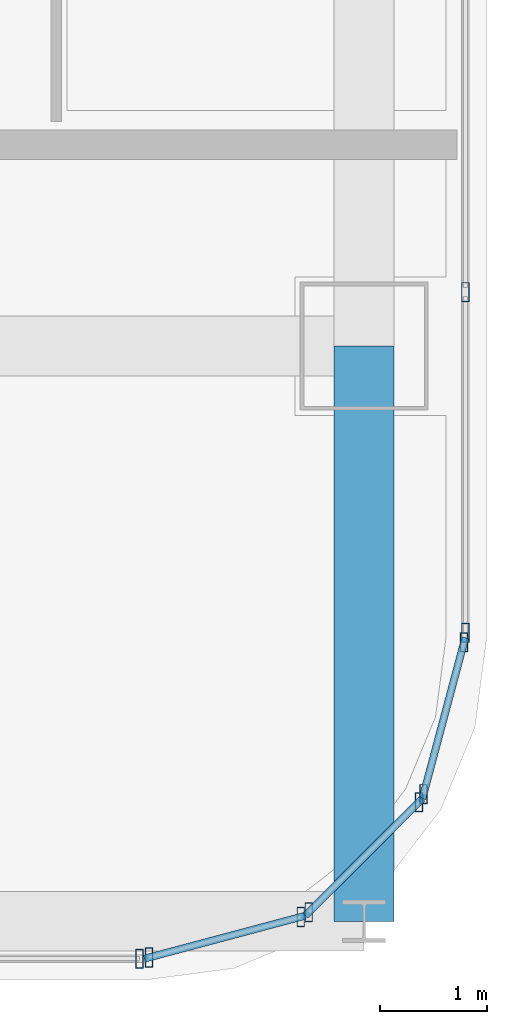
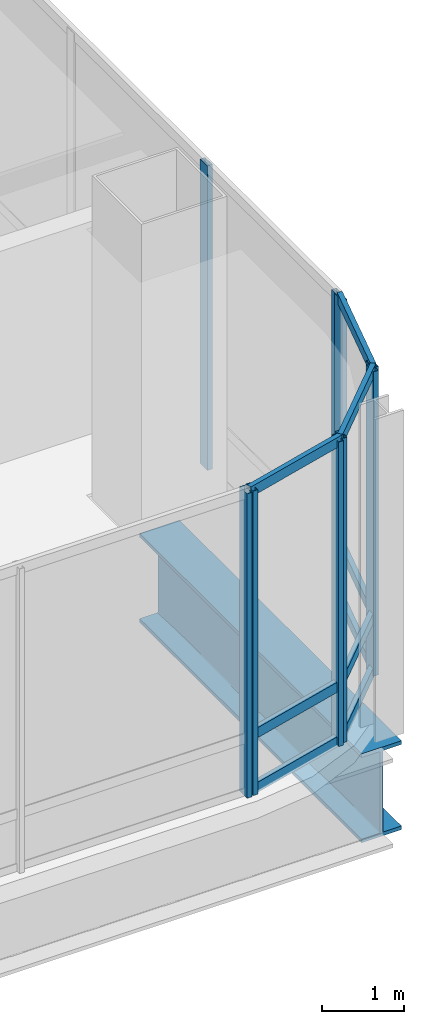
# One storey, part 18 of 45: 18 members, 1 beam, 5 elements without a shape of their own.
"""IFC4 building model written with IfcOpenShell, lengths in metres."""

from ifc_helpers import new_model, si_unit, direction, frame, origin, origin_2d, place, context, subcontext, project, spatial, hollow_rectangle, i_section, extrude, material, material_profile, profile_set, type_object, element, aggregate, save


model = new_model("IFC4")

# Units and contexts
model_context = context("Model", 3, precision=1e-05, world=origin(), true_north=direction((0.0, 1.0)))
body_context = subcontext(model_context, "Body", "Model", "MODEL_VIEW")
ifc_project = project(units=[si_unit("LENGTHUNIT", "METRE"), si_unit("AREAUNIT", "SQUARE_METRE"), si_unit("VOLUMEUNIT", "CUBIC_METRE"), si_unit("PLANEANGLEUNIT", "RADIAN"), si_unit("MASSUNIT", "GRAM", prefix="KILO")], contexts=[model_context])

# Site, building, storey
site_placement = place(None, origin())
site = spatial("IfcSite", under=ifc_project, at=site_placement, CompositionType="ELEMENT")
building_placement = place(site_placement, origin())
building = spatial("IfcBuilding", under=site, at=building_placement, Name="Punatoya Terracotta Tower", CompositionType="ELEMENT")
storey_placement = place(building_placement, frame((0.0, 0.0, 339.0)))
storey = spatial("IfcBuildingStorey", under=building, at=storey_placement, Name="L80", CompositionType="ELEMENT", Elevation=339.0)

# Beam
ifc_material_1 = material(Name="Steel S460", Category="steel")
ifc_material_profile_1 = material_profile(ifc_material_1, i_section(OverallWidth=0.56005859375, OverallDepth=1.320068359375, WebThickness=0.035888671875, FlangeThickness=0.054931640625, FilletRadius=0.01806640625, at=origin_2d()))
ifc_profile_set_1 = profile_set([ifc_material_profile_1], Name="Steel S460")
beam_type = type_object("IfcBeamType", Name="BM-TG-BLK", PredefinedType="BEAM", material=ifc_profile_set_1)
beam_placement = place(storey_placement, frame((19.10009765625, -22.89990234375, -0.919921875), z_axis=(0.0, 1.0, 0.0), x_axis=(-1.0, 0.0, 0.0)))
element("IfcBeam", 1, at=beam_placement, inside=storey, type_object=beam_type, Name="BM-L80-CANT-S4", PredefinedType="BEAM", context=body_context, shape_type="SweptSolid", body=[
    extrude(i_section(OverallWidth=0.56005859375, OverallDepth=1.320068359375, WebThickness=0.035888671875, FlangeThickness=0.054931640625, FilletRadius=0.01806640625, at=origin_2d()), origin(), (0.0, 0.0, 1.0), 5.39990234375),
])

# Curtain wall, member
ifc_material_2 = material(Name="Aluminium 6063-T6 + Double Low-E Glass", Category="aluminium")
curtain_wall_type = type_object("IfcCurtainWallType", Name="CW-OBS", PredefinedType="NOTDEFINED", material=ifc_material_2)
curtain_wall_1_placement = place(storey_placement, origin())
curtain_wall_1 = element("IfcCurtainWall", 2, at=curtain_wall_1_placement, inside=storey, type_object=curtain_wall_type, Name="L80 Curtain Wall CW-L80-S01-1", PredefinedType="NOTDEFINED")
ifc_material_3 = material(Name="Aluminium 6063-T6", Category="aluminium")
ifc_material_profile_2 = material_profile(ifc_material_3, hollow_rectangle(XDim=0.070068359375, YDim=0.179931640625, WallThickness=0.00390625, at=origin_2d()))
ifc_profile_set_2 = profile_set([ifc_material_profile_2], Name="Aluminium 6063-T6")
member_type_1 = type_object("IfcMemberType", Name="CW-MUL-M3", PredefinedType="MULLION", material=ifc_profile_set_2)
member_1_placement = place(storey_placement, frame((16.991943359375, -23.25, 0.0), z_axis=(0.0, 0.0, 1.0), x_axis=(1.0, 0.0, 0.0)))
member_1 = element("IfcMember", 3, at=member_1_placement, type_object=member_type_1, Name="CW-L80-S01-1 Mullion 12", PredefinedType="MULLION", context=body_context, shape_type="SweptSolid", body=[
    extrude(hollow_rectangle(XDim=0.070068359375, YDim=0.179931640625, WallThickness=0.00390625, at=origin_2d()), origin(), (0.0, 0.0, 1.0), 4.52001953125),
])
aggregate(curtain_wall_1, [member_1])

# Curtain wall, members
curtain_wall_2_placement = place(storey_placement, origin())
curtain_wall_2 = element("IfcCurtainWall", 4, at=curtain_wall_2_placement, inside=storey, type_object=curtain_wall_type, Name="L80 Curtain Wall CW-L80-CRN02", PredefinedType="NOTDEFINED")
member_2_placement = place(storey_placement, frame((17.080322265625, -23.23828125, 0.0), z_axis=(0.0, 0.0, 1.0), x_axis=(1.0, 0.0, 0.0)))
member_2 = element("IfcMember", 5, at=member_2_placement, type_object=member_type_1, Name="CW-L80-CRN02 Mullion 00", PredefinedType="MULLION", context=body_context, shape_type="SweptSolid", body=[
    extrude(hollow_rectangle(XDim=0.070068359375, YDim=0.179931640625, WallThickness=0.00390625, at=origin_2d()), origin(), (0.0, 0.0, 1.0), 4.52001953125),
])
member_3_placement = place(storey_placement, frame((18.505615234375, -22.858154296875, 0.0), z_axis=(0.0, 0.0, 1.0), x_axis=(1.0, 0.0, 0.0)))
member_3 = element("IfcMember", 6, at=member_3_placement, type_object=member_type_1, Name="CW-L80-CRN02 Mullion 01", PredefinedType="MULLION", context=body_context, shape_type="SweptSolid", body=[
    extrude(hollow_rectangle(XDim=0.070068359375, YDim=0.179931640625, WallThickness=0.00390625, at=origin_2d()), origin(), (0.0, 0.0, 1.0), 4.52001953125),
])

curtain_wall_3_placement = place(storey_placement, origin())
curtain_wall_3 = element("IfcCurtainWall", 7, at=curtain_wall_3_placement, inside=storey, type_object=curtain_wall_type, Name="L80 Curtain Wall CW-L80-CRN03", PredefinedType="NOTDEFINED")
member_4_placement = place(storey_placement, frame((18.580810546875, -22.814697265625, 0.0), z_axis=(0.0, 0.0, 1.0), x_axis=(1.0, 0.0, 0.0)))
member_4 = element("IfcMember", 8, at=member_4_placement, type_object=member_type_1, Name="CW-L80-CRN03 Mullion 00", PredefinedType="MULLION", context=body_context, shape_type="SweptSolid", body=[
    extrude(hollow_rectangle(XDim=0.070068359375, YDim=0.179931640625, WallThickness=0.00390625, at=origin_2d()), origin(), (0.0, 0.0, 1.0), 4.52001953125),
])
member_5_placement = place(storey_placement, frame((19.61474609375, -21.781005859375, 0.0), z_axis=(0.0, 0.0, 1.0), x_axis=(1.0, 0.0, 0.0)))
member_5 = element("IfcMember", 9, at=member_5_placement, type_object=member_type_1, Name="CW-L80-CRN03 Mullion 01", PredefinedType="MULLION", context=body_context, shape_type="SweptSolid", body=[
    extrude(hollow_rectangle(XDim=0.070068359375, YDim=0.179931640625, WallThickness=0.00390625, at=origin_2d()), origin(), (0.0, 0.0, 1.0), 4.52001953125),
])

curtain_wall_4_placement = place(storey_placement, origin())
curtain_wall_4 = element("IfcCurtainWall", 10, at=curtain_wall_4_placement, inside=storey, type_object=curtain_wall_type, Name="L80 Curtain Wall CW-L80-CRN04", PredefinedType="NOTDEFINED")
member_6_placement = place(storey_placement, frame((19.658203125, -21.70556640625, 0.0), z_axis=(0.0, 0.0, 1.0), x_axis=(1.0, 0.0, 0.0)))
member_6 = element("IfcMember", 11, at=member_6_placement, type_object=member_type_1, Name="CW-L80-CRN04 Mullion 00", PredefinedType="MULLION", context=body_context, shape_type="SweptSolid", body=[
    extrude(hollow_rectangle(XDim=0.070068359375, YDim=0.179931640625, WallThickness=0.00390625, at=origin_2d()), origin(), (0.0, 0.0, 1.0), 4.52001953125),
])
member_7_placement = place(storey_placement, frame((20.038330078125, -20.280517578125, 0.0), z_axis=(0.0, 0.0, 1.0), x_axis=(1.0, 0.0, 0.0)))
member_7 = element("IfcMember", 12, at=member_7_placement, type_object=member_type_1, Name="CW-L80-CRN04 Mullion 01", PredefinedType="MULLION", context=body_context, shape_type="SweptSolid", body=[
    extrude(hollow_rectangle(XDim=0.070068359375, YDim=0.179931640625, WallThickness=0.00390625, at=origin_2d()), origin(), (0.0, 0.0, 1.0), 4.52001953125),
])

curtain_wall_5_placement = place(storey_placement, origin())
curtain_wall_5 = element("IfcCurtainWall", 13, at=curtain_wall_5_placement, inside=storey, type_object=curtain_wall_type, Name="L80 Curtain Wall CW-L80-E05-1", PredefinedType="NOTDEFINED")
member_8_placement = place(storey_placement, frame((20.050048828125, -20.19189453125, 0.0), z_axis=(0.0, 0.0, 1.0), x_axis=(1.0, 0.0, 0.0)))
member_8 = element("IfcMember", 14, at=member_8_placement, type_object=member_type_1, Name="CW-L80-E05-1 Mullion 00", PredefinedType="MULLION", context=body_context, shape_type="SweptSolid", body=[
    extrude(hollow_rectangle(XDim=0.070068359375, YDim=0.179931640625, WallThickness=0.00390625, at=origin_2d()), origin(), (0.0, 0.0, 1.0), 4.52001953125),
])
member_9_placement = place(storey_placement, frame((20.050048828125, -16.993896484375, 0.0), z_axis=(0.0, 0.0, 1.0), x_axis=(1.0, 0.0, 0.0)))
member_9 = element("IfcMember", 15, at=member_9_placement, type_object=member_type_1, Name="CW-L80-E05-1 Mullion 01", PredefinedType="MULLION", context=body_context, shape_type="SweptSolid", body=[
    extrude(hollow_rectangle(XDim=0.070068359375, YDim=0.179931640625, WallThickness=0.00390625, at=origin_2d()), origin(), (0.0, 0.0, 1.0), 4.52001953125),
])
aggregate(curtain_wall_5, [member_8, member_9])

# Member
ifc_material_profile_3 = material_profile(ifc_material_3, hollow_rectangle(XDim=0.068115234375, YDim=0.14990234375, WallThickness=0.00390625, at=origin_2d()))
ifc_profile_set_3 = profile_set([ifc_material_profile_3], Name="Aluminium 6063-T6")
member_type_2 = type_object("IfcMemberType", Name="CW-TRN-TYP", PredefinedType="USERDEFINED", material=ifc_profile_set_3)
member_10_placement = place(storey_placement, frame((17.036865234375, -23.25, 0.0400390625), z_axis=(0.966224582397, 0.257701486942, 0.0), x_axis=(-0.257701486942, 0.966224582397, 0.0)))
member_10 = element("IfcMember", 16, at=member_10_placement, type_object=member_type_2, Name="CW-L80-CRN02 Transom 1", ObjectType="TRANSOM", PredefinedType="USERDEFINED", context=body_context, shape_type="SweptSolid", body=[
    extrude(hollow_rectangle(XDim=0.068115234375, YDim=0.14990234375, WallThickness=0.00390625, at=origin_2d()), origin(), (0.0, 0.0, 1.0), 1.565185546875),
])

member_11_placement = place(storey_placement, frame((17.036865234375, -23.25, 0.85009765625), z_axis=(0.966224582397, 0.257701486942, 0.0), x_axis=(-0.257701486942, 0.966224582397, 0.0)))
member_11 = element("IfcMember", 17, at=member_11_placement, type_object=member_type_2, Name="CW-L80-CRN02 Transom 2", ObjectType="TRANSOM", PredefinedType="USERDEFINED", context=body_context, shape_type="SweptSolid", body=[
    extrude(hollow_rectangle(XDim=0.068115234375, YDim=0.14990234375, WallThickness=0.00390625, at=origin_2d()), origin(), (0.0, 0.0, 1.0), 1.565185546875),
])

member_12_placement = place(storey_placement, frame((17.036865234375, -23.25, 4.47998046875), z_axis=(0.966224582397, 0.257701486942, 0.0), x_axis=(-0.257701486942, 0.966224582397, 0.0)))
member_12 = element("IfcMember", 18, at=member_12_placement, type_object=member_type_2, Name="CW-L80-CRN02 Transom 3", ObjectType="TRANSOM", PredefinedType="USERDEFINED", context=body_context, shape_type="SweptSolid", body=[
    extrude(hollow_rectangle(XDim=0.068115234375, YDim=0.14990234375, WallThickness=0.00390625, at=origin_2d()), origin(), (0.0, 0.0, 1.0), 1.565185546875),
])

aggregate(curtain_wall_2, [member_2, member_3, member_10, member_11, member_12])

member_13_placement = place(storey_placement, frame((18.549072265625, -22.8466796875, 0.0400390625), z_axis=(0.707028130747, 0.707185422879, 0.0), x_axis=(-0.707185422879, 0.707028130747, 0.0)))
member_13 = element("IfcMember", 19, at=member_13_placement, type_object=member_type_2, Name="CW-L80-CRN03 Transom 1", ObjectType="TRANSOM", PredefinedType="USERDEFINED", context=body_context, shape_type="SweptSolid", body=[
    extrude(hollow_rectangle(XDim=0.068115234375, YDim=0.14990234375, WallThickness=0.00390625, at=origin_2d()), origin(), (0.0, 0.0, 1.0), 1.55224609375),
])

member_14_placement = place(storey_placement, frame((18.549072265625, -22.8466796875, 0.85009765625), z_axis=(0.707028130747, 0.707185422879, 0.0), x_axis=(-0.707185422879, 0.707028130747, 0.0)))
member_14 = element("IfcMember", 20, at=member_14_placement, type_object=member_type_2, Name="CW-L80-CRN03 Transom 2", ObjectType="TRANSOM", PredefinedType="USERDEFINED", context=body_context, shape_type="SweptSolid", body=[
    extrude(hollow_rectangle(XDim=0.068115234375, YDim=0.14990234375, WallThickness=0.00390625, at=origin_2d()), origin(), (0.0, 0.0, 1.0), 1.55224609375),
])

member_15_placement = place(storey_placement, frame((18.549072265625, -22.8466796875, 4.47998046875), z_axis=(0.707028130747, 0.707185422879, 0.0), x_axis=(-0.707185422879, 0.707028130747, 0.0)))
member_15 = element("IfcMember", 21, at=member_15_placement, type_object=member_type_2, Name="CW-L80-CRN03 Transom 3", ObjectType="TRANSOM", PredefinedType="USERDEFINED", context=body_context, shape_type="SweptSolid", body=[
    extrude(hollow_rectangle(XDim=0.068115234375, YDim=0.14990234375, WallThickness=0.00390625, at=origin_2d()), origin(), (0.0, 0.0, 1.0), 1.55224609375),
])

aggregate(curtain_wall_3, [member_4, member_5, member_13, member_14, member_15])

member_16_placement = place(storey_placement, frame((19.646484375, -21.7490234375, 0.0400390625), z_axis=(0.257847112249, 0.966185730957, 0.0), x_axis=(-0.966185730957, 0.257847112249, 0.0)))
member_16 = element("IfcMember", 22, at=member_16_placement, type_object=member_type_2, Name="CW-L80-CRN04 Transom 1", ObjectType="TRANSOM", PredefinedType="USERDEFINED", context=body_context, shape_type="SweptSolid", body=[
    extrude(hollow_rectangle(XDim=0.068115234375, YDim=0.14990234375, WallThickness=0.00390625, at=origin_2d()), origin(), (0.0, 0.0, 1.0), 1.565185546875),
])

member_17_placement = place(storey_placement, frame((19.646484375, -21.7490234375, 0.85009765625), z_axis=(0.257847112249, 0.966185730957, 0.0), x_axis=(-0.966185730957, 0.257847112249, 0.0)))
member_17 = element("IfcMember", 23, at=member_17_placement, type_object=member_type_2, Name="CW-L80-CRN04 Transom 2", ObjectType="TRANSOM", PredefinedType="USERDEFINED", context=body_context, shape_type="SweptSolid", body=[
    extrude(hollow_rectangle(XDim=0.068115234375, YDim=0.14990234375, WallThickness=0.00390625, at=origin_2d()), origin(), (0.0, 0.0, 1.0), 1.565185546875),
])

member_18_placement = place(storey_placement, frame((19.646484375, -21.7490234375, 4.47998046875), z_axis=(0.257847112249, 0.966185730957, 0.0), x_axis=(-0.966185730957, 0.257847112249, 0.0)))
member_18 = element("IfcMember", 24, at=member_18_placement, type_object=member_type_2, Name="CW-L80-CRN04 Transom 3", ObjectType="TRANSOM", PredefinedType="USERDEFINED", context=body_context, shape_type="SweptSolid", body=[
    extrude(hollow_rectangle(XDim=0.068115234375, YDim=0.14990234375, WallThickness=0.00390625, at=origin_2d()), origin(), (0.0, 0.0, 1.0), 1.565185546875),
])

aggregate(curtain_wall_4, [member_6, member_7, member_16, member_17, member_18])

save(model, "model.ifc")
